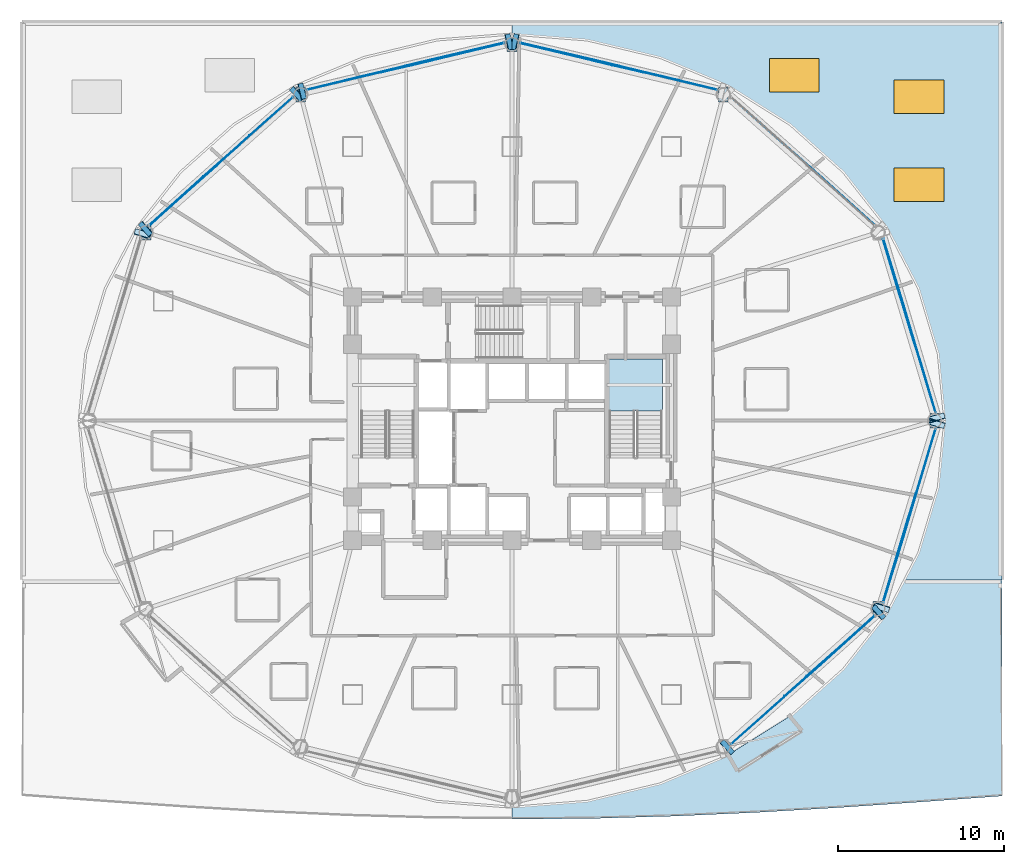
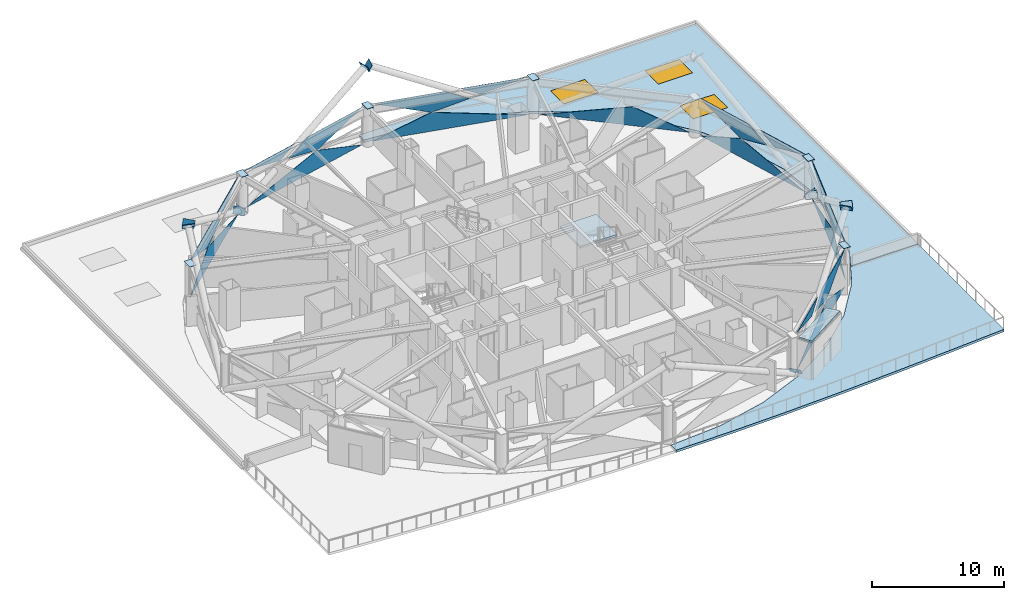
# One storey, part 18 of 27: 36 plates, 4 slabs, 3 windows, 3 openings, 8 elements without a shape of their own.
"""IFC4 building model written with IfcOpenShell, lengths in metres."""

import ifcopenshell
import ifcopenshell.guid

model = None  # the IFC model being written
_history = None  # IfcOwnerHistory: only IFC2X3 demands one
_inside = {}  # id of a spatial element -> (the spatial element, [elements in it])
_under = {}  # id of a project, library or spatial element -> (it, [spatial elements below it])
_declared = {}  # id of a project -> (the project, [libraries it declares])
_typed = {}  # id of a type object -> (the type object, [elements of that type])
_made_of = {}  # id of a material, layer set ... -> (it, [elements and type objects made of it])


def new_model(schema):
    """Start an empty IFC model of exactly this schema.

    Asked for "IFC4X3", IfcOpenShell would pick the latest addendum, in which some entities
    have other attributes; the version numbers below select the first issue.
    IFC2X3 requires an IfcOwnerHistory on every rooted entity: one is made here for all.
    """
    global model, _history
    if schema == "IFC4X3":
        model = ifcopenshell.file(schema_version=(4, 3, 0, 0))
    else:
        model = ifcopenshell.file(schema=schema)
    _inside.clear()
    _under.clear()
    _declared.clear()
    _typed.clear()
    _made_of.clear()
    _history = None
    if model.schema == "IFC2X3":
        org = make("IfcOrganization", Name="unknown")
        user = make(
            "IfcPersonAndOrganization",
            ThePerson=make("IfcPerson", FamilyName="unknown"),
            TheOrganization=org,
        )
        app = make(
            "IfcApplication",
            ApplicationDeveloper=org,
            Version="unknown",
            ApplicationFullName="unknown",
            ApplicationIdentifier="unknown",
        )
        _history = make(
            "IfcOwnerHistory",
            OwningUser=user,
            OwningApplication=app,
            ChangeAction="ADDED",
            CreationDate=0,
        )
    return model


def make(cls, **values):
    """One entity of the class cls with the attributes given. An attribute that is None is left unset."""
    return model.create_entity(
        cls, **{name: value for name, value in values.items() if value is not None}
    )


def rooted(cls, **values):
    """An entity with a GlobalId (a new one), such as an element, a storey or a relation."""
    return make(cls, GlobalId=ifcopenshell.guid.new(), OwnerHistory=_history, **values)


def si_unit(unit_type, name, prefix=None):
    """IfcSIUnit, for example si_unit("LENGTHUNIT", "METRE", prefix="MILLI")."""
    return make("IfcSIUnit", UnitType=unit_type, Prefix=prefix, Name=name)


def assignment(units):
    """IfcUnitAssignment: the units of a project."""
    return None if units is None else make("IfcUnitAssignment", Units=units)


def point(xyz):
    """IfcCartesianPoint."""
    return None if xyz is None else make("IfcCartesianPoint", Coordinates=xyz)


def direction(xyz):
    """IfcDirection."""
    return None if xyz is None else make("IfcDirection", DirectionRatios=xyz)


def frame(location, z_axis=None, x_axis=None):
    """IfcAxis2Placement3D, a coordinate frame: its origin and axes. An axis left out is left unset."""
    return make(
        "IfcAxis2Placement3D",
        Location=point(location),
        Axis=direction(z_axis),
        RefDirection=direction(x_axis),
    )


def frame_2d(location, x_axis=None):
    """IfcAxis2Placement2D, a coordinate frame in the plane: its origin and x axis."""
    return make(
        "IfcAxis2Placement2D", Location=point(location), RefDirection=direction(x_axis)
    )


def origin():
    """The frame at (0, 0, 0) with its axes left unset."""
    return frame((0.0, 0.0, 0.0))


def origin_2d():
    """The frame at (0, 0) in the plane with its x axis left unset."""
    return frame_2d((0.0, 0.0))


def place(relative_to, where):
    """IfcLocalPlacement: puts the frame where relative to a parent placement (None: the world)."""
    return make(
        "IfcLocalPlacement", PlacementRelTo=relative_to, RelativePlacement=where
    )


def context(
    kind, dimensions, precision=None, world=None, true_north=None, identifier=None
):
    """IfcGeometricRepresentationContext, for example the 3D "Model" context."""
    return make(
        "IfcGeometricRepresentationContext",
        ContextIdentifier=identifier,
        ContextType=kind,
        CoordinateSpaceDimension=dimensions,
        Precision=precision,
        WorldCoordinateSystem=world,
        TrueNorth=true_north,
    )


def subcontext(parent, identifier, kind, view, scale=None):
    """IfcGeometricRepresentationSubContext, for example "Body" below "Model"."""
    return make(
        "IfcGeometricRepresentationSubContext",
        ContextIdentifier=identifier,
        ContextType=kind,
        ParentContext=parent,
        TargetScale=scale,
        TargetView=view,
    )


def project(units=None, contexts=None):
    """IfcProject with its units and contexts."""
    return rooted(
        "IfcProject",
        Name="project",
        RepresentationContexts=contexts,
        UnitsInContext=assignment(units),
    )


def spatial(cls, under=None, at=None, **own):
    """A site, building, storey or space (cls), placed at a placement, below another one or the project."""
    s = rooted(cls, ObjectPlacement=at, **own)
    if under is not None:
        _under.setdefault(under.id(), (under, []))[1].append(s)
    return s


def polyline(points):
    """IfcPolyline through the points."""
    return make("IfcPolyline", Points=[point(p) for p in points])


def profile(cls, at=None, kind="AREA", **sizes):
    """A parametric profile (cls). Its sizes go by their IFC names, for example OverallWidth=200.0."""
    return make(cls, ProfileType=kind, Position=at, **sizes)


def rectangle(**sizes):
    """IfcRectangleProfileDef."""
    return profile("IfcRectangleProfileDef", **sizes)


def outline(outer, holes=None, kind="AREA"):
    """IfcArbitraryClosedProfileDef: a profile drawn as a closed curve; with holes, ...WithVoids."""
    if holes is None:
        return make("IfcArbitraryClosedProfileDef", ProfileType=kind, OuterCurve=outer)
    return make(
        "IfcArbitraryProfileDefWithVoids",
        ProfileType=kind,
        OuterCurve=outer,
        InnerCurves=holes,
    )


def extrude(swept, where, along, depth):
    """IfcExtrudedAreaSolid: the profile swept, set in the frame where, extruded along a direction by depth."""
    return make(
        "IfcExtrudedAreaSolid",
        SweptArea=swept,
        Position=where,
        ExtrudedDirection=direction(along),
        Depth=depth,
    )


def shape(context_of_items, identifier, shape_type, items):
    """IfcShapeRepresentation: the items that make up one representation, for example the "Body"."""
    return make(
        "IfcShapeRepresentation",
        ContextOfItems=context_of_items,
        RepresentationIdentifier=identifier,
        RepresentationType=shape_type,
        Items=items,
    )


def material(Name=None, Category=None):
    """IfcMaterial."""
    return make("IfcMaterial", Name=Name, Category=Category)


def layer(
    of_material, thickness, ventilated=None, Name=None, Category=None, Priority=None
):
    """IfcMaterialLayer: one layer of a wall or slab, of a material (None: an air gap)."""
    return make(
        "IfcMaterialLayer",
        Material=of_material,
        LayerThickness=thickness,
        IsVentilated=ventilated,
        Name=Name,
        Category=Category,
        Priority=Priority,
    )


def layer_set(layers, Name=None):
    """IfcMaterialLayerSet."""
    return make("IfcMaterialLayerSet", MaterialLayers=layers, LayerSetName=Name)


def made_of(thing, what):
    """Note that an element or type object is made of a material, layer set ...; save() writes the relation."""
    if what is not None:
        _made_of.setdefault(what.id(), (what, []))[1].append(thing)
    return thing


def type_object(cls, material=None, **own):
    """A type object (cls), such as IfcWallType, which elements share."""
    return made_of(rooted(cls, **own), material)


def element(
    cls,
    number,
    at=None,
    inside=None,
    cuts=None,
    type_object=None,
    material=None,
    context=None,
    identifier="Body",
    shape_type=None,
    held_by="IfcProductDefinitionShape",
    body=None,
    shapes=None,
    **own,
):
    """One element of the class cls, such as IfcWall. Its Tag is "e" and its number.

    at: its placement. inside: the storey or other place that contains it. cuts: it is an
    opening in that element (IfcRelVoidsElement). A single representation is given by context,
    identifier, shape_type and body (its items); several are given by shapes. held_by: the class
    of the entity that holds the representations. save() writes the other relations.
    """
    e = rooted(cls, Tag="e%d" % number, ObjectPlacement=at, **own)
    if body is not None:
        shapes = [shape(context, identifier, shape_type, body)]
    if shapes is not None:
        e.Representation = make(held_by, Representations=shapes)
    if inside is not None:
        _inside.setdefault(inside.id(), (inside, []))[1].append(e)
    if cuts is not None:
        rooted(
            "IfcRelVoidsElement", RelatingBuildingElement=cuts, RelatedOpeningElement=e
        )
    if type_object is not None:
        _typed.setdefault(type_object.id(), (type_object, []))[1].append(e)
    return made_of(e, material)


def fill(opening, filler):
    """IfcRelFillsElement: the door or window that sits in an opening."""
    return rooted(
        "IfcRelFillsElement",
        RelatingOpeningElement=opening,
        RelatedBuildingElement=filler,
    )


def aggregate(whole, parts):
    """IfcRelAggregates: a whole, such as a stair, and the parts it consists of."""
    return rooted("IfcRelAggregates", RelatingObject=whole, RelatedObjects=parts)


def save(model, path):
    """Write the relations noted so far, then the file.

    IfcRelAggregates (storeys below a building ...), IfcRelContainedInSpatialStructure (elements
    in a storey), IfcRelDefinesByType, IfcRelAssociatesMaterial and IfcRelDeclares: one each for
    every whole, place, type object, material and project.
    """
    for whole, parts in _under.values():
        aggregate(whole, parts)
    for where, things in _inside.values():
        rooted(
            "IfcRelContainedInSpatialStructure",
            RelatedElements=things,
            RelatingStructure=where,
        )
    for kind, things in _typed.values():
        rooted("IfcRelDefinesByType", RelatedObjects=things, RelatingType=kind)
    for what, things in _made_of.values():
        rooted("IfcRelAssociatesMaterial", RelatedObjects=things, RelatingMaterial=what)
    for by, libraries in _declared.values():
        rooted("IfcRelDeclares", RelatingContext=by, RelatedDefinitions=libraries)
    model.write(path)


model = new_model("IFC4")

# Units and contexts
model_context = context("Model", 3, precision=1e-05, world=origin(), true_north=direction((0.0, 1.0)))
body_context = subcontext(model_context, "Body", "Model", "MODEL_VIEW")
ifc_project = project(units=[si_unit("LENGTHUNIT", "METRE"), si_unit("AREAUNIT", "SQUARE_METRE"), si_unit("VOLUMEUNIT", "CUBIC_METRE"), si_unit("PLANEANGLEUNIT", "RADIAN"), si_unit("MASSUNIT", "GRAM", prefix="KILO")], contexts=[model_context])

# Site, building, storey
site_placement = place(None, origin())
site = spatial("IfcSite", under=ifc_project, at=site_placement, CompositionType="ELEMENT")
building_placement = place(site_placement, origin())
building = spatial("IfcBuilding", under=site, at=building_placement, Name="Vantalir Tower", CompositionType="ELEMENT")
storey_placement = place(building_placement, frame((0.0, 0.0, 27.0)))
storey = spatial("IfcBuildingStorey", under=building, at=storey_placement, Name="L05", CompositionType="ELEMENT", Elevation=27.0)

# Curtain wall, plates
ifc_material_1 = material(Name="Champagne-silver PVDF aluminium and double-silver Low-E glass", Category="aluminium")
ifc_layer_1 = layer(ifc_material_1, 0.18994140625)
ifc_layer_set_1 = layer_set([ifc_layer_1], Name="Champagne-silver PVDF aluminium and double-silver Low-E glass")
curtain_wall_type = type_object("IfcCurtainWallType", Name="CW-DIAMOND-Z1", PredefinedType="USERDEFINED", material=ifc_layer_set_1)
curtain_wall_1_placement = place(storey_placement, origin())
curtain_wall_1 = element("IfcCurtainWall", 1, at=curtain_wall_1_placement, inside=storey, type_object=curtain_wall_type, Name="L05 Quilted Pyramid-Diamond Curtain Wall S01", ObjectType="UNITISED CURTAIN WALL", PredefinedType="USERDEFINED")
ifc_material_2 = material(Name="Double-silver Low-E laminated glass IGU", Category="glass")
ifc_layer_2 = layer(ifc_material_2, 0.028076171875)
ifc_layer_set_2 = layer_set([ifc_layer_2], Name="Double-silver Low-E laminated glass IGU")
plate_type_1 = type_object("IfcPlateType", Name="CWP-IGU-28", PredefinedType="CURTAIN_PANEL", material=ifc_layer_set_2)
plate_1_placement = place(storey_placement, frame((57.00048828125, 25.46435546875, 0.04638671875), z_axis=(-0.957578880535, -0.287846289434, 0.013682149448), x_axis=(-0.287872943892, 0.957668610574, 2.2270845e-05)))
plate_1 = element("IfcPlate", 2, at=plate_1_placement, type_object=plate_type_1, Name="CW-L05-S01 Pyramid Diamond Facet 1L", PredefinedType="CURTAIN_PANEL", context=body_context, shape_type="SweptSolid", body=[
    extrude(outline(polyline([(0.0, 0.0), (10.962342191971807, -4.960224939121183e-18), (6.791215988403775, -1.7265728701411234), (0.0, 0.0)])), origin(), (0.0, 0.0, -1.0), 0.028076171875),
])
plate_2_placement = place(storey_placement, frame((55.322998046875, 31.044677734375, 3.5234375), z_axis=(0.957579635004, 0.287842392017, 0.013711308631), x_axis=(-0.287868827182, 0.957669847112, -4.763173e-05)))
plate_2 = element("IfcPlate", 3, at=plate_2_placement, type_object=plate_type_1, Name="CW-L05-S01 Pyramid Diamond Facet 2U", PredefinedType="CURTAIN_PANEL", context=body_context, shape_type="SweptSolid", body=[
    extrude(outline(polyline([(0.0, 0.0), (5.135338671007989, 2.087089182034596e-18), (0.9642563536800345, -1.7266788881914013), (-1.7342180131782967, -1.0407082443429359), (0.0, 0.0)])), origin(), (0.0, 0.0, -1.0), 0.028076171875),
])
plate_3_placement = place(storey_placement, frame((57.031005859375, 25.4736328125, 3.52392578125), z_axis=(0.957571538398, 0.287860848653, 0.013888148308), x_axis=(-0.287888614065, 0.957663900276, 0.0)))
plate_3 = element("IfcPlate", 4, at=plate_3_placement, type_object=plate_type_1, Name="CW-L05-S01 Pyramid Diamond Facet 2U Infill Light", PredefinedType="CURTAIN_PANEL", context=body_context, shape_type="SweptSolid", body=[
    extrude(outline(polyline([(0.0, 0.0), (4.680324415573924, 0.0), (3.2874474045764575, -0.8357739655805069), (0.0, 0.0)])), origin(), (0.0, 0.0, -1.0), 0.028076171875),
])
aggregate(curtain_wall_1, [plate_1, plate_2, plate_3])

# Curtain wall, plate
curtain_wall_2_placement = place(storey_placement, origin())
curtain_wall_2 = element("IfcCurtainWall", 5, at=curtain_wall_2_placement, inside=storey, type_object=curtain_wall_type, Name="L05 Quilted Pyramid-Diamond Curtain Wall S02", ObjectType="UNITISED CURTAIN WALL", PredefinedType="USERDEFINED")
plate_4_placement = place(storey_placement, frame((53.343017578125, 36.749755859375, 0.046630859375), z_axis=(-0.665308885605, -0.746444198425, 0.013606813458), x_axis=(-0.746513498737, 0.66537026967, -2.1043369e-05)))
plate_4 = element("IfcPlate", 6, at=plate_4_placement, type_object=plate_type_1, Name="CW-L05-S02 Pyramid Diamond Facet 1L", PredefinedType="CURTAIN_PANEL", context=body_context, shape_type="SweptSolid", body=[
    extrude(outline(polyline([(0.0, 0.0), (11.601784410505761, 9.920449878242366e-18), (4.410452310106066, -1.726815174474904), (0.0, 0.0)])), origin(), (0.0, 0.0, -1.0), 0.028076171875),
])
aggregate(curtain_wall_2, [plate_4])

# Curtain wall, plates
curtain_wall_3_placement = place(storey_placement, origin())
curtain_wall_3 = element("IfcCurtainWall", 7, at=curtain_wall_3_placement, inside=storey, type_object=curtain_wall_type, Name="L05 Quilted Pyramid-Diamond Curtain Wall S03", ObjectType="UNITISED CURTAIN WALL", PredefinedType="USERDEFINED")
plate_5_placement = place(storey_placement, frame((43.848388671875, 44.90478515625, 0.04638671875), z_axis=(-0.232286508823, -0.972549752748, 0.013782461632), x_axis=(-0.972642072645, 0.232308842109, 1.9993876e-05)))
plate_5 = element("IfcPlate", 8, at=plate_5_placement, type_object=plate_type_1, Name="CW-L05-S03 Pyramid Diamond Facet 1L", PredefinedType="CURTAIN_PANEL", context=body_context, shape_type="SweptSolid", body=[
    extrude(outline(polyline([(0.0, 0.0), (12.210770352635775, -5.963111948670274e-19), (7.564815878873884, -1.727063572655862), (0.0, 0.0)])), origin(), (0.0, 0.0, -1.0), 0.028076171875),
])
plate_6_placement = place(storey_placement, frame((37.5537109375, 46.408203125, 3.523681640625), z_axis=(0.232308646803, 0.972544532934, 0.013777665997), x_axis=(-0.972636716061, 0.232331265187, -4.2274794e-05)))
plate_6 = element("IfcPlate", 9, at=plate_6_placement, type_object=plate_type_1, Name="CW-L05-S03 Pyramid Diamond Facet 2U", PredefinedType="CURTAIN_PANEL", context=body_context, shape_type="SweptSolid", body=[
    extrude(outline(polyline([(0.0, 0.0), (5.7390446673520765, -3.2526065174565133e-18), (1.0931292319646315, -1.727412671648198), (-1.9152714694807467, -1.0404614050661767), (0.0, 0.0)])), origin(), (0.0, 0.0, -1.0), 0.028076171875),
])
plate_7_placement = place(storey_placement, frame((43.855712890625, 44.935791015625, 3.524169921875), z_axis=(0.232286516402, 0.972548160926, 0.013894206598), x_axis=(-0.972641897683, 0.232309570827, -4.6620424e-05)))
plate_7 = element("IfcPlate", 10, at=plate_7_placement, type_object=plate_type_1, Name="CW-L05-S03 Pyramid Diamond Facet 2U Infill Light", PredefinedType="CURTAIN_PANEL", context=body_context, shape_type="SweptSolid", body=[
    extrude(outline(polyline([(0.0, 0.0), (5.236774059915836, 9.75781955236954e-19), (3.6871237904550966, -0.8417062298265489), (0.0, 0.0)])), origin(), (0.0, 0.0, -1.0), 0.028076171875),
])
aggregate(curtain_wall_3, [plate_5, plate_6, plate_7])

curtain_wall_4_placement = place(storey_placement, origin())
curtain_wall_4 = element("IfcCurtainWall", 11, at=curtain_wall_4_placement, inside=storey, type_object=curtain_wall_type, Name="L05 Quilted Pyramid-Diamond Curtain Wall S04", ObjectType="UNITISED CURTAIN WALL", PredefinedType="USERDEFINED")
plate_8_placement = place(storey_placement, frame((31.0283203125, 47.741455078125, 0.046630859375), z_axis=(0.232286508823, -0.972549752748, 0.013782461632), x_axis=(-0.972642072645, -0.232308842109, -1.9993876e-05)))
plate_8 = element("IfcPlate", 12, at=plate_8_placement, type_object=plate_type_1, Name="CW-L05-S04 Pyramid Diamond Facet 1L", PredefinedType="CURTAIN_PANEL", context=body_context, shape_type="SweptSolid", body=[
    extrude(outline(polyline([(0.0, 0.0), (12.210770352635775, 5.963111948670274e-19), (4.645954473761892, -1.7270635726558619), (0.0, 0.0)])), origin(), (0.0, 0.0, -1.0), 0.028076171875),
])
plate_9_placement = place(storey_placement, frame((31.0283203125, 47.741455078125, 3.5234375), z_axis=(-0.232308646803, 0.972544532934, 0.013777665997), x_axis=(-0.972636716061, -0.232331265187, 4.2274794e-05)))
plate_9 = element("IfcPlate", 13, at=plate_9_placement, type_object=plate_type_1, Name="CW-L05-S04 Pyramid Diamond Facet 2U", PredefinedType="CURTAIN_PANEL", context=body_context, shape_type="SweptSolid", body=[
    extrude(outline(polyline([(0.0, 0.0), (5.7390446673520765, 3.2526065174565133e-18), (7.654316136832822, -1.040461405066177), (4.645915435387444, -1.727412671648198), (0.0, 0.0)])), origin(), (0.0, 0.0, -1.0), 0.028076171875),
])
plate_10_placement = place(storey_placement, frame((24.23779296875, 46.15234375, 3.52392578125), z_axis=(-0.232286516402, 0.972548160926, 0.013894206598), x_axis=(-0.972641897683, -0.232309570827, 4.6620424e-05)))
plate_10 = element("IfcPlate", 14, at=plate_10_placement, type_object=plate_type_1, Name="CW-L05-S04 Pyramid Diamond Facet 2U Infill Light", PredefinedType="CURTAIN_PANEL", context=body_context, shape_type="SweptSolid", body=[
    extrude(outline(polyline([(0.0, 0.0), (5.236774059915836, -9.75781955236954e-19), (1.5496502694607401, -0.8417062298265489), (0.0, 0.0)])), origin(), (0.0, 0.0, -1.0), 0.028076171875),
])
aggregate(curtain_wall_4, [plate_8, plate_9, plate_10])

curtain_wall_5_placement = place(storey_placement, origin())
curtain_wall_5 = element("IfcCurtainWall", 15, at=curtain_wall_5_placement, inside=storey, type_object=curtain_wall_type, Name="L05 Quilted Pyramid-Diamond Curtain Wall S05", ObjectType="UNITISED CURTAIN WALL", PredefinedType="USERDEFINED")
plate_11_placement = place(storey_placement, frame((18.31787109375, 44.46923828125, 0.04638671875), z_axis=(0.665308885605, -0.746444198425, 0.013606813458), x_axis=(-0.746513498737, -0.66537026967, 2.1043369e-05)))
plate_11 = element("IfcPlate", 16, at=plate_11_placement, type_object=plate_type_1, Name="CW-L05-S05 Pyramid Diamond Facet 1L", PredefinedType="CURTAIN_PANEL", context=body_context, shape_type="SweptSolid", body=[
    extrude(outline(polyline([(0.0, 0.0), (11.601784410505761, -9.920449878242366e-18), (7.191332100399694, -1.7268151744749043), (0.0, 0.0)])), origin(), (0.0, 0.0, -1.0), 0.028076171875),
])
plate_12_placement = place(storey_placement, frame((13.721435546875, 40.372314453125, 3.5234375), z_axis=(-0.665300054197, 0.746451395068, 0.013643778309), x_axis=(-0.746520882122, -0.665361986107, -4.2522e-08)))
plate_12 = element("IfcPlate", 17, at=plate_12_placement, type_object=plate_type_1, Name="CW-L05-S05 Pyramid Diamond Facet 2U", PredefinedType="CURTAIN_PANEL", context=body_context, shape_type="SweptSolid", body=[
    extrude(outline(polyline([(0.0, 0.0), (5.444511912943742, 0.0), (1.0340236035969672, -1.7269673439427227), (-1.826412881686654, -1.039892024901801), (0.0, 0.0)])), origin(), (0.0, 0.0, -1.0), 0.028076171875),
])
plate_13_placement = place(storey_placement, frame((18.296630859375, 44.4931640625, 3.524169921875), z_axis=(-0.665314594483, 0.746437516961, 0.013693927117), x_axis=(-0.74650796131, -0.665376480862, -4.9170594e-05)))
plate_13 = element("IfcPlate", 18, at=plate_13_placement, type_object=plate_type_1, Name="CW-L05-S05 Pyramid Diamond Facet 2U Infill Light", PredefinedType="CURTAIN_PANEL", context=body_context, shape_type="SweptSolid", body=[
    extrude(outline(polyline([(0.0, 0.0), (4.96517540448994, 2.0599841277224584e-18), (3.4924400351067257, -0.8387741118368344), (0.0, 0.0)])), origin(), (0.0, 0.0, -1.0), 0.028076171875),
])
aggregate(curtain_wall_5, [plate_11, plate_12, plate_13])

curtain_wall_6_placement = place(storey_placement, origin())
curtain_wall_6 = element("IfcCurtainWall", 19, at=curtain_wall_6_placement, inside=storey, type_object=curtain_wall_type, Name="L05 Quilted Pyramid-Diamond Curtain Wall S11", ObjectType="UNITISED CURTAIN WALL", PredefinedType="USERDEFINED")
plate_14_placement = place(storey_placement, frame((44.68212890625, 5.53076171875, 0.04638671875), z_axis=(-0.665308885605, 0.746444198425, 0.013606813458), x_axis=(0.746513498737, 0.66537026967, 2.1043369e-05)))
plate_14 = element("IfcPlate", 20, at=plate_14_placement, type_object=plate_type_1, Name="CW-L05-S11 Pyramid Diamond Facet 1L", PredefinedType="CURTAIN_PANEL", context=body_context, shape_type="SweptSolid", body=[
    extrude(outline(polyline([(0.0, 0.0), (11.601784410505761, -9.920449878242366e-18), (7.191332100399694, -1.7268151744749043), (0.0, 0.0)])), origin(), (0.0, 0.0, -1.0), 0.028076171875),
])
plate_15_placement = place(storey_placement, frame((49.278564453125, 9.627685546875, 3.5234375), z_axis=(0.665300054197, -0.746451395068, 0.013643778309), x_axis=(0.746520882122, 0.665361986107, -4.2522e-08)))
plate_15 = element("IfcPlate", 21, at=plate_15_placement, type_object=plate_type_1, Name="CW-L05-S11 Pyramid Diamond Facet 2U", PredefinedType="CURTAIN_PANEL", context=body_context, shape_type="SweptSolid", body=[
    extrude(outline(polyline([(0.0, 0.0), (5.444511912943742, 0.0), (1.0340236035969672, -1.7269673439427227), (-1.826412881686654, -1.039892024901801), (0.0, 0.0)])), origin(), (0.0, 0.0, -1.0), 0.028076171875),
])
plate_16_placement = place(storey_placement, frame((44.703369140625, 5.5068359375, 3.524169921875), z_axis=(0.665314594483, -0.746437516961, 0.013693927117), x_axis=(0.74650796131, 0.665376480862, -4.9170594e-05)))
plate_16 = element("IfcPlate", 22, at=plate_16_placement, type_object=plate_type_1, Name="CW-L05-S11 Pyramid Diamond Facet 2U Infill Light", PredefinedType="CURTAIN_PANEL", context=body_context, shape_type="SweptSolid", body=[
    extrude(outline(polyline([(0.0, 0.0), (4.96517540448994, 2.0599841277224584e-18), (3.4924400351067257, -0.8387741118368344), (0.0, 0.0)])), origin(), (0.0, 0.0, -1.0), 0.028076171875),
])
aggregate(curtain_wall_6, [plate_14, plate_15, plate_16])

curtain_wall_7_placement = place(storey_placement, origin())
curtain_wall_7 = element("IfcCurtainWall", 23, at=curtain_wall_7_placement, inside=storey, type_object=curtain_wall_type, Name="L05 Quilted Pyramid-Diamond Curtain Wall S12", ObjectType="UNITISED CURTAIN WALL", PredefinedType="USERDEFINED")
plate_17_placement = place(storey_placement, frame((53.8447265625, 14.037353515625, 0.046630859375), z_axis=(-0.957578880535, 0.287846289434, 0.013682149448), x_axis=(0.287872943892, 0.957668610574, -2.2270845e-05)))
plate_17 = element("IfcPlate", 24, at=plate_17_placement, type_object=plate_type_1, Name="CW-L05-S12 Pyramid Diamond Facet 1L", PredefinedType="CURTAIN_PANEL", context=body_context, shape_type="SweptSolid", body=[
    extrude(outline(polyline([(0.0, 0.0), (10.962342191971807, 4.960224939121183e-18), (4.17112620356803, -1.7265728701411234), (0.0, 0.0)])), origin(), (0.0, 0.0, -1.0), 0.028076171875),
])
plate_18_placement = place(storey_placement, frame((53.8447265625, 14.037353515625, 3.523193359375), z_axis=(0.957579635004, -0.287842392017, 0.013711308631), x_axis=(0.287868827182, 0.957669847112, 4.763173e-05)))
plate_18 = element("IfcPlate", 25, at=plate_18_placement, type_object=plate_type_1, Name="CW-L05-S12 Pyramid Diamond Facet 2U", PredefinedType="CURTAIN_PANEL", context=body_context, shape_type="SweptSolid", body=[
    extrude(outline(polyline([(0.0, 0.0), (5.135338671007989, -2.087089182034596e-18), (6.8695566841862865, -1.0407082443429356), (4.171082317327955, -1.726678888191401), (0.0, 0.0)])), origin(), (0.0, 0.0, -1.0), 0.028076171875),
])
plate_19_placement = place(storey_placement, frame((55.68359375, 20.044189453125, 3.52392578125), z_axis=(0.957571538398, -0.287860848653, 0.013888148308), x_axis=(0.287888614065, 0.957663900276, 0.0)))
plate_19 = element("IfcPlate", 26, at=plate_19_placement, type_object=plate_type_1, Name="CW-L05-S12 Pyramid Diamond Facet 2U Infill Light", PredefinedType="CURTAIN_PANEL", context=body_context, shape_type="SweptSolid", body=[
    extrude(outline(polyline([(0.0, 0.0), (4.680324415573924, 0.0), (1.392877010997467, -0.8357739655805069), (0.0, 0.0)])), origin(), (0.0, 0.0, -1.0), 0.028076171875),
])
aggregate(curtain_wall_7, [plate_17, plate_18, plate_19])

# Plates
ifc_material_3 = material(Name="Steel S460", Category="steel")
ifc_layer_3 = layer(ifc_material_3, 0.0400390625)
ifc_layer_set_3 = layer_set([ifc_layer_3], Name="Steel S460")
plate_type_2 = type_object("IfcPlateType", Name="PLT-KN-Z1", PredefinedType="USERDEFINED", material=ifc_layer_set_3)
plate_20_placement = place(storey_placement, frame((57.49267578125, 25.476806640625, -0.068603515625), z_axis=(-0.246946517309, 0.821171551533, 0.514484888545), x_axis=(-0.957625698996, -0.28801565526, 5.4289726e-05)))
element("IfcPlate", 27, at=plate_20_placement, inside=storey, type_object=plate_type_2, Name="Node Cap Plate MEM-DG-L05-R01L Start", ObjectType="FLANGE_PLATE", PredefinedType="USERDEFINED", context=body_context, shape_type="SweptSolid", body=[
    extrude(outline(polyline([(0.0, 0.0), (0.9499460214858269, 0.0), (0.9500335617520865, 0.6200432057309483), (0.00015785658834470594, 0.6201634866255669), (0.0, 0.0)])), origin(), (0.0, 0.0, -1.0), 0.0400390625),
])
plate_21_placement = place(storey_placement, frame((56.5830078125, 24.796875, -0.068603515625), z_axis=(-0.246946517309, -0.821171551533, 0.514484888545), x_axis=(0.957625698996, -0.28801565526, -5.4289726e-05)))
element("IfcPlate", 28, at=plate_21_placement, inside=storey, type_object=plate_type_2, Name="Node Cap Plate MEM-DG-L05-R01R Start", ObjectType="FLANGE_PLATE", PredefinedType="USERDEFINED", context=body_context, shape_type="SweptSolid", body=[
    extrude(outline(polyline([(0.0, 0.0), (0.9499460214858269, 0.0), (0.9497881648974823, 0.6201634866255669), (-8.754026625965204e-05, 0.6200432057309483), (0.0, 0.0)])), origin(), (0.0, 0.0, -1.0), 0.0400390625),
])
plate_22_placement = place(storey_placement, frame((53.25048828125, 13.71142578125, 6.87744140625), z_axis=(-0.246831821712, -0.821266771081, 0.51438792998), x_axis=(0.957683979349, -0.287821811947, 1.6312792e-05)))
element("IfcPlate", 29, at=plate_22_placement, inside=storey, type_object=plate_type_2, Name="Node Cap Plate MEM-DG-L05-R01R End", ObjectType="FLANGE_PLATE", PredefinedType="USERDEFINED", context=body_context, shape_type="SweptSolid", body=[
    extrude(outline(polyline([(0.0, 0.0), (0.9501095264682091, 0.0), (0.9501240818274282, 0.6200432191104704), (0.00024836492448988975, 0.620079361363619), (0.0, 0.0)])), origin(), (0.0, 0.0, -1.0), 0.0400390625),
])
plate_23_placement = place(storey_placement, frame((31.627197265625, 48.31201171875, 6.8779296875), z_axis=(-0.854640010418, 0.204147065509, 0.477403841875), x_axis=(-0.232326127317, -0.972637944154, 1.2522377e-05)))
element("IfcPlate", 30, at=plate_23_placement, inside=storey, type_object=plate_type_2, Name="Node Cap Plate MEM-DG-L05-R07L End", ObjectType="FLANGE_PLATE", PredefinedType="USERDEFINED", context=body_context, shape_type="SweptSolid", body=[
    extrude(outline(polyline([(0.0, 0.0), (0.9500628510056929, 0.0), (0.949922884116837, 0.6198654341842835), (9.749354672877903e-05, 0.619892510034778), (0.0, 0.0)])), origin(), (0.0, 0.0, -1.0), 0.0400390625),
])
plate_24_placement = place(storey_placement, frame((18.1015625, 44.91259765625, -0.07666015625), z_axis=(-0.648679774777, -0.578217227371, 0.494852895078), x_axis=(0.665415735381, -0.746472971886, 3.6773048e-05)))
element("IfcPlate", 31, at=plate_24_placement, inside=storey, type_object=plate_type_2, Name="Node Cap Plate MEM-DG-L05-R13L Start", ObjectType="FLANGE_PLATE", PredefinedType="USERDEFINED", context=body_context, shape_type="SweptSolid", body=[
    extrude(outline(polyline([(0.0, 0.0), (0.94983370343164, -5.551115123125783e-17), (0.9498800201812642, 0.6200205272126427), (-0.00013592762827762935, 0.6201009243701172), (0.0, 0.0)])), origin(), (0.0, 0.0, -1.0), 0.0400390625),
])
plate_25_placement = place(storey_placement, frame((8.986328125, 36.788330078125, 6.877685546875), z_axis=(-0.648699267764, -0.578135078913, 0.494923317831), x_axis=(0.665336277327, -0.746543795147, 0.0)))
element("IfcPlate", 32, at=plate_25_placement, inside=storey, type_object=plate_type_2, Name="Node Cap Plate MEM-DG-L05-R13L End", ObjectType="FLANGE_PLATE", PredefinedType="USERDEFINED", context=body_context, shape_type="SweptSolid", body=[
    extrude(outline(polyline([(0.0, 0.0), (0.9500159538334854, 0.0), (0.9500098052470701, 0.6198083784179331), (-6.148586415233304e-06, 0.6198083784179331), (0.0, 0.0)])), origin(), (0.0, 0.0, -1.0), 0.0400390625),
])
plate_26_placement = place(storey_placement, frame((19.129150390625, 44.410888671875, -0.08349609375), z_axis=(0.854627438222, 0.204117094889, 0.477439162), x_axis=(-0.232303709897, 0.972643298629, 0.0)))
element("IfcPlate", 33, at=plate_26_placement, inside=storey, type_object=plate_type_2, Name="Node Cap Plate MEM-DG-L05-R13R Start", ObjectType="FLANGE_PLATE", PredefinedType="USERDEFINED", context=body_context, shape_type="SweptSolid", body=[
    extrude(outline(polyline([(0.0, 0.0), (0.9500628513325243, 0.0), (0.9499653571321658, 0.6198925105355855), (-9.749420035846945e-05, 0.6198925105355855), (0.0, 0.0)])), origin(), (0.0, 0.0, -1.0), 0.0400390625),
])
plate_27_placement = place(storey_placement, frame((31.593505859375, 47.387939453125, 6.8779296875), z_axis=(0.854640010418, 0.204147065509, 0.477403841875), x_axis=(-0.232326127317, 0.972637944154, -1.2522377e-05)))
element("IfcPlate", 34, at=plate_27_placement, inside=storey, type_object=plate_type_2, Name="Node Cap Plate MEM-DG-L05-R13R End", ObjectType="FLANGE_PLATE", PredefinedType="USERDEFINED", context=body_context, shape_type="SweptSolid", body=[
    extrude(outline(polyline([(0.0, 0.0), (0.9500628510056929, 0.0), (0.949965357458964, 0.619892510034778), (0.00013996688885579818, 0.6198654341842835), (0.0, 0.0)])), origin(), (0.0, 0.0, -1.0), 0.0400390625),
])
plate_28_placement = place(storey_placement, frame((9.74951171875, 36.28857421875, 6.87744140625), z_axis=(0.246831821712, 0.821266771081, 0.51438792998), x_axis=(-0.957683979349, 0.287821811947, 1.6312792e-05)))
element("IfcPlate", 35, at=plate_28_placement, inside=storey, type_object=plate_type_2, Name="Node Cap Plate MEM-DG-L05-R19R End", ObjectType="FLANGE_PLATE", PredefinedType="USERDEFINED", context=body_context, shape_type="SweptSolid", body=[
    extrude(outline(polyline([(0.0, 0.0), (0.9501095264682091, 0.0), (0.9501240818274282, 0.6200432191104704), (0.00024836492448988975, 0.620079361363619), (0.0, 0.0)])), origin(), (0.0, 0.0, -1.0), 0.0400390625),
])
plate_29_placement = place(storey_placement, frame((44.8984375, 5.08740234375, -0.07666015625), z_axis=(0.648679774777, 0.578217227371, 0.494852895078), x_axis=(-0.665415735381, 0.746472971886, 3.6773048e-05)))
element("IfcPlate", 36, at=plate_29_placement, inside=storey, type_object=plate_type_2, Name="Node Cap Plate MEM-DG-L05-R31L Start", ObjectType="FLANGE_PLATE", PredefinedType="USERDEFINED", context=body_context, shape_type="SweptSolid", body=[
    extrude(outline(polyline([(0.0, 0.0), (0.94983370343164, -5.551115123125783e-17), (0.9498800201812642, 0.6200205272126427), (-0.00013592762827762935, 0.6201009243701172), (0.0, 0.0)])), origin(), (0.0, 0.0, -1.0), 0.0400390625),
])
plate_30_placement = place(storey_placement, frame((54.013671875, 13.211669921875, 6.877685546875), z_axis=(0.648699267764, 0.578135078913, 0.494923317831), x_axis=(-0.665336277327, 0.746543795147, 0.0)))
element("IfcPlate", 37, at=plate_30_placement, inside=storey, type_object=plate_type_2, Name="Node Cap Plate MEM-DG-L05-R31L End", ObjectType="FLANGE_PLATE", PredefinedType="USERDEFINED", context=body_context, shape_type="SweptSolid", body=[
    extrude(outline(polyline([(0.0, 0.0), (0.9500159538334854, 0.0), (0.9500098052470701, 0.6198083784179331), (-6.148586415233304e-06, 0.6198083784179331), (0.0, 0.0)])), origin(), (0.0, 0.0, -1.0), 0.0400390625),
])
ifc_layer_4 = layer(ifc_material_3, 0.035888671875)
ifc_layer_set_4 = layer_set([ifc_layer_4], Name="Steel S460")
plate_type_3 = type_object("IfcPlateType", Name="PLT-KN-Z2", PredefinedType="USERDEFINED", material=ifc_layer_set_4)
plate_31_placement = place(storey_placement, frame((56.659912109375, 25.43994140625, 3.597900390625), z_axis=(0.0, 0.0, 1.0), x_axis=(0.0, -1.0, 0.0)))
element("IfcPlate", 38, at=plate_31_placement, inside=storey, type_object=plate_type_3, Name="L05 Ring Column Top Cap RC01", ObjectType="FLANGE_PLATE", PredefinedType="USERDEFINED", context=body_context, shape_type="SweptSolid", body=[
    extrude(outline(polyline([(0.0, 0.0), (0.8798828125, 0.0), (0.8798828125, 0.580078125), (0.0, 0.580078125), (0.0, 0.0)])), origin(), (0.0, 0.0, -1.0), 0.035888671875),
])
plate_32_placement = place(storey_placement, frame((43.93505859375, 45.068115234375, 3.597900390625), z_axis=(0.0, 0.0, 1.0), x_axis=(0.0, -1.0, 0.0)))
element("IfcPlate", 39, at=plate_32_placement, inside=storey, type_object=plate_type_3, Name="L05 Ring Column Top Cap RC03", ObjectType="FLANGE_PLATE", PredefinedType="USERDEFINED", context=body_context, shape_type="SweptSolid", body=[
    extrude(outline(polyline([(0.0, 0.0), (0.880126953125, 0.0), (0.880126953125, 0.579833984375), (0.0, 0.579833984375), (0.0, 0.0)])), origin(), (0.0, 0.0, -1.0), 0.035888671875),
])
plate_33_placement = place(storey_placement, frame((31.2099609375, 48.10400390625, 3.597900390625), z_axis=(0.0, 0.0, 1.0), x_axis=(0.0, -1.0, 0.0)))
element("IfcPlate", 40, at=plate_33_placement, inside=storey, type_object=plate_type_3, Name="L05 Ring Column Top Cap RC04", ObjectType="FLANGE_PLATE", PredefinedType="USERDEFINED", context=body_context, shape_type="SweptSolid", body=[
    extrude(outline(polyline([(0.0, 0.0), (0.8798828125, 0.0), (0.8798828125, 0.580078125), (0.0, 0.580078125), (0.0, 0.0)])), origin(), (0.0, 0.0, -1.0), 0.035888671875),
])
plate_34_placement = place(storey_placement, frame((18.485107421875, 45.068115234375, 3.597900390625), z_axis=(0.0, 0.0, 1.0), x_axis=(0.0, -1.0, 0.0)))
element("IfcPlate", 41, at=plate_34_placement, inside=storey, type_object=plate_type_3, Name="L05 Ring Column Top Cap RC05", ObjectType="FLANGE_PLATE", PredefinedType="USERDEFINED", context=body_context, shape_type="SweptSolid", body=[
    extrude(outline(polyline([(0.0, 0.0), (0.880126953125, 0.0), (0.880126953125, 0.579833984375), (0.0, 0.579833984375), (0.0, 0.0)])), origin(), (0.0, 0.0, -1.0), 0.035888671875),
])
for number, where, z_axis, x_axis, name in (
    (42, (9.169921875, 36.77197265625, 3.597900390625), (0.0, 0.0, 1.0), (0.0, -1.0, 0.0), "L05 Ring Column Top Cap RC06"),
    (43, (53.25, 14.10791015625, 3.597900390625), (0.0, 0.0, 1.0), (0.0, -1.0, 0.0), "L05 Ring Column Top Cap RC12"),
):
    element("IfcPlate", number, at=place(storey_placement, frame(where, z_axis=z_axis, x_axis=x_axis)), inside=storey, type_object=plate_type_3, Name=name, ObjectType="FLANGE_PLATE", PredefinedType="USERDEFINED", context=body_context, shape_type="SweptSolid", body=[
        extrude(outline(polyline([(0.0, 0.0), (0.8798828125, 0.0), (0.8798828125, 0.580078125), (0.0, 0.580078125), (0.0, 0.0)])), origin(), (0.0, 0.0, -1.0), 0.035888671875),
    ])

# Slab
ifc_material_4 = material(Name="Champagne-silver aluminium and Concrete C40/50 canopy", Category="concrete")
ifc_layer_5 = layer(ifc_material_4, 0.14990234375)
ifc_layer_set_5 = layer_set([ifc_layer_5], Name="Champagne-silver aluminium and Concrete C40/50 canopy")
slab_type_1 = type_object("IfcSlabType", Name="SL-KAKILIMA-CANOPY-150", PredefinedType="ROOF", material=ifc_layer_set_5)
slab_1_placement = place(storey_placement, frame((0.0, 0.0, 3.419921875)))
element("IfcSlab", 44, at=slab_1_placement, inside=storey, type_object=slab_type_1, Name="L05 Podium Vestibule Canopy Cap SE", PredefinedType="ROOF", context=body_context, shape_type="SweptSolid", body=[
    extrude(outline(polyline([(48.22509765625, 7.201904296875), (48.22412109375, 7.200927734375), (44.510009765625, 4.87890625), (45.074951171875, 3.89990234375), (48.951904296875, 6.3359375), (48.22509765625, 7.201904296875)])), origin(), (0.0, 0.0, 1.0), 0.150146484375),
])

# Stair, slab
ifc_material_5 = material(Name="Concrete C40/50", Category="concrete")
stair_type = type_object("IfcStairType", Name="STR-CORE-1450", PredefinedType="HALF_TURN_STAIR", material=ifc_material_5)
stair_placement = place(storey_placement, origin())
stair = element("IfcStair", 45, at=stair_placement, inside=storey, type_object=stair_type, Name="L05 Core Exit Stair 2", PredefinedType="HALF_TURN_STAIR")
ifc_layer_6 = layer(ifc_material_5, 0.199951171875)
ifc_layer_set_6 = layer_set([ifc_layer_6], Name="Concrete C40/50")
slab_type_2 = type_object("IfcSlabType", Name="SL-LAND-200", PredefinedType="LANDING", material=ifc_layer_set_6)
slab_2_placement = place(storey_placement, frame((0.0, 0.0, 1.675048828125)))
slab_2 = element("IfcSlab", 46, at=slab_2_placement, type_object=slab_type_2, Name="ST2 landing 1", PredefinedType="LANDING", context=body_context, shape_type="SweptSolid", body=[
    extrude(outline(polyline([(40.550048828125, 25.590087890625), (40.550048828125, 28.699951171875), (37.35009765625, 28.699951171875), (37.35009765625, 25.590087890625), (40.550048828125, 25.590087890625)])), origin(), (0.0, 0.0, 1.0), 0.199951171875),
])
aggregate(stair, [slab_2])

# Slab, openings, windows
ifc_material_6 = material(Name="Concrete C40/50 insulated podium roof", Category="concrete")
ifc_layer_7 = layer(ifc_material_6, 0.239990234375)
ifc_layer_set_7 = layer_set([ifc_layer_7], Name="Concrete C40/50 insulated podium roof")
slab_type_3 = type_object("IfcSlabType", Name="SL-POD-ROOF-240", PredefinedType="ROOF", material=ifc_layer_set_7)
slab_3_placement = place(storey_placement, frame((0.0, 0.0, -0.219970703125)))
slab_3 = element("IfcSlab", 47, at=slab_3_placement, inside=storey, type_object=slab_type_3, Name="L05 Podium Low Roof Wing NE", PredefinedType="ROOF", context=body_context, shape_type="SweptSolid", body=[
    extrude(outline(polyline([(31.5, 49.0), (31.5, 48.22900390625), (36.01708984375, 47.8759765625), (40.39794921875, 46.827880859375), (44.507080078125, 45.116943359375), (48.220947265625, 42.794921875), (51.427978515625, 39.931884765625), (54.030029296875, 36.614990234375), (55.946044921875, 32.946044921875), (57.1201171875, 29.033935546875), (57.514892578125, 25.0), (57.1201171875, 20.966064453125), (55.946044921875, 17.053955078125), (55.092041015625, 15.419921875), (61.0, 15.419921875), (61.0, 49.0), (31.5, 49.0)]), holes=[polyline([(54.50390625, 45.49609375), (57.49609375, 45.49609375), (57.49609375, 43.50390625), (54.50390625, 43.50390625), (54.50390625, 45.49609375)]), polyline([(54.50390625, 40.196044921875), (57.49609375, 40.196044921875), (57.49609375, 38.2041015625), (54.50390625, 38.2041015625), (54.50390625, 40.196044921875)]), polyline([(47.00390625, 46.7958984375), (49.99609375, 46.7958984375), (49.99609375, 44.803955078125), (47.00390625, 44.803955078125), (47.00390625, 46.7958984375)])]), origin(), (0.0, 0.0, 1.0), 0.239990234375),
])
opening_1_placement = place(slab_3_placement, frame((56.0, 44.5, -0.010009765625)))
opening_1 = element("IfcOpeningElement", 48, at=opening_1_placement, cuts=slab_3, Name="Opening SK-1", PredefinedType="OPENING", context=body_context, shape_type="SweptSolid", body=[
    extrude(rectangle(XDim=3.0, YDim=2.0, at=origin_2d()), origin(), (0.0, 0.0, 1.0), 0.260009765625),
])
opening_2_placement = place(slab_3_placement, frame((56.0, 39.199951171875, -0.010009765625)))
opening_2 = element("IfcOpeningElement", 49, at=opening_2_placement, cuts=slab_3, Name="Opening SK-1", PredefinedType="OPENING", context=body_context, shape_type="SweptSolid", body=[
    extrude(rectangle(XDim=3.0, YDim=2.0, at=origin_2d()), origin(), (0.0, 0.0, 1.0), 0.260009765625),
])
opening_3_placement = place(slab_3_placement, frame((48.5, 45.800048828125, -0.010009765625)))
opening_3 = element("IfcOpeningElement", 50, at=opening_3_placement, cuts=slab_3, Name="Opening SK-1", PredefinedType="OPENING", context=body_context, shape_type="SweptSolid", body=[
    extrude(rectangle(XDim=3.0, YDim=2.0, at=origin_2d()), origin(), (0.0, 0.0, 1.0), 0.260009765625),
])
ifc_material_7 = material(Name="Laminated solar-control double-glazed SKYLIGHT", Category="glass")
window_type = type_object("IfcWindowType", Name="WIN-SKYLIGHT-3000x2000", PartitioningType="SINGLE_PANEL", PredefinedType="SKYLIGHT", material=ifc_material_7)
window_1_placement = place(slab_3_placement, frame((56.0, 44.5, 0.18994140625)))
window_1 = element("IfcWindow", 51, at=window_1_placement, inside=storey, type_object=window_type, Name="L05 Podium Spa & Ballroom Foyer Skylight 04", OverallHeight=2.0, OverallWidth=3.0, PartitioningType="SINGLE_PANEL", PredefinedType="SKYLIGHT", context=body_context, shape_type="SweptSolid", body=[
    extrude(rectangle(XDim=3.0, YDim=2.0, at=origin_2d()), origin(), (0.0, 0.0, 1.0), 0.050048828125),
])
fill(opening_1, window_1)
window_2_placement = place(slab_3_placement, frame((56.0, 39.199951171875, 0.18994140625)))
window_2 = element("IfcWindow", 52, at=window_2_placement, inside=storey, type_object=window_type, Name="L05 Podium Spa & Ballroom Foyer Skylight 05", OverallHeight=2.0, OverallWidth=3.0, PartitioningType="SINGLE_PANEL", PredefinedType="SKYLIGHT", context=body_context, shape_type="SweptSolid", body=[
    extrude(rectangle(XDim=3.0, YDim=2.0, at=origin_2d()), origin(), (0.0, 0.0, 1.0), 0.050048828125),
])
fill(opening_2, window_2)
window_3_placement = place(slab_3_placement, frame((48.5, 45.800048828125, 0.18994140625)))
window_3 = element("IfcWindow", 53, at=window_3_placement, inside=storey, type_object=window_type, Name="L05 Podium Spa & Ballroom Foyer Skylight 06", OverallHeight=2.0, OverallWidth=3.0, PartitioningType="SINGLE_PANEL", PredefinedType="SKYLIGHT", context=body_context, shape_type="SweptSolid", body=[
    extrude(rectangle(XDim=3.0, YDim=2.0, at=origin_2d()), origin(), (0.0, 0.0, 1.0), 0.050048828125),
])
fill(opening_3, window_3)

# Slab
ifc_material_8 = material(Name="Concrete C40/50 waterproofed terrace slab", Category="concrete")
ifc_layer_8 = layer(ifc_material_8, 0.219970703125)
ifc_layer_set_8 = layer_set([ifc_layer_8], Name="Concrete C40/50 waterproofed terrace slab")
slab_type_4 = type_object("IfcSlabType", Name="SL-TERR-EXT-220", PredefinedType="FLOOR", material=ifc_layer_set_8)
slab_4_placement = place(storey_placement, frame((0.0, 0.0, -0.219970703125)))
element("IfcSlab", 54, at=slab_4_placement, inside=storey, type_object=slab_type_4, Name="L05 Waterfront Podium Terrace Deck SE", PredefinedType="FLOOR", context=body_context, shape_type="SweptSolid", body=[
    extrude(outline(polyline([(61.0, 15.3798828125), (55.072021484375, 15.3798828125), (54.030029296875, 13.385009765625), (51.427978515625, 10.068115234375), (48.220947265625, 7.205078125), (44.507080078125, 4.883056640625), (40.39794921875, 3.172119140625), (36.01708984375, 2.1240234375), (31.5, 1.77099609375), (31.5, 1.0), (36.4169921875, 1.048095703125), (41.3330078125, 1.18798828125), (46.25, 1.409912109375), (51.1669921875, 1.699951171875), (56.0830078125, 2.0380859375), (61.0, 2.39990234375), (61.0, 15.3798828125)])), origin(), (0.0, 0.0, 1.0), 0.219970703125),
])

save(model, "model.ifc")
